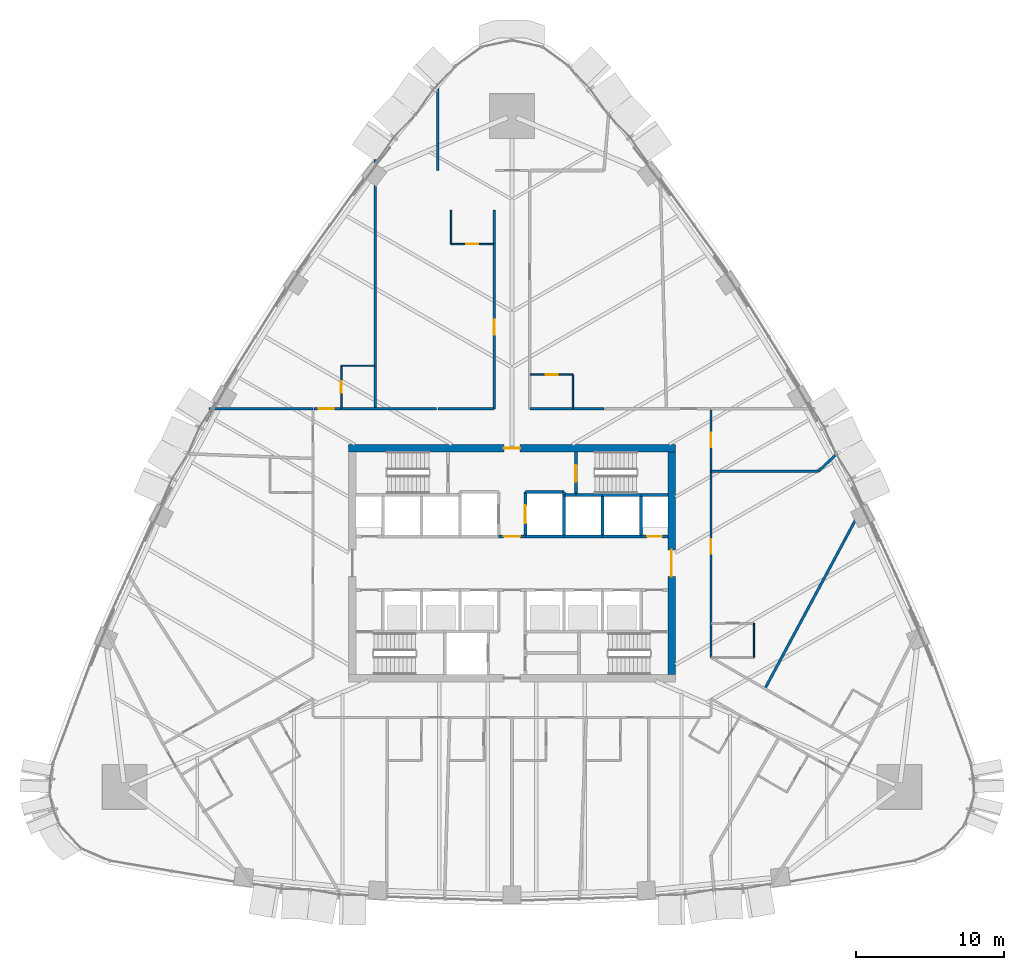
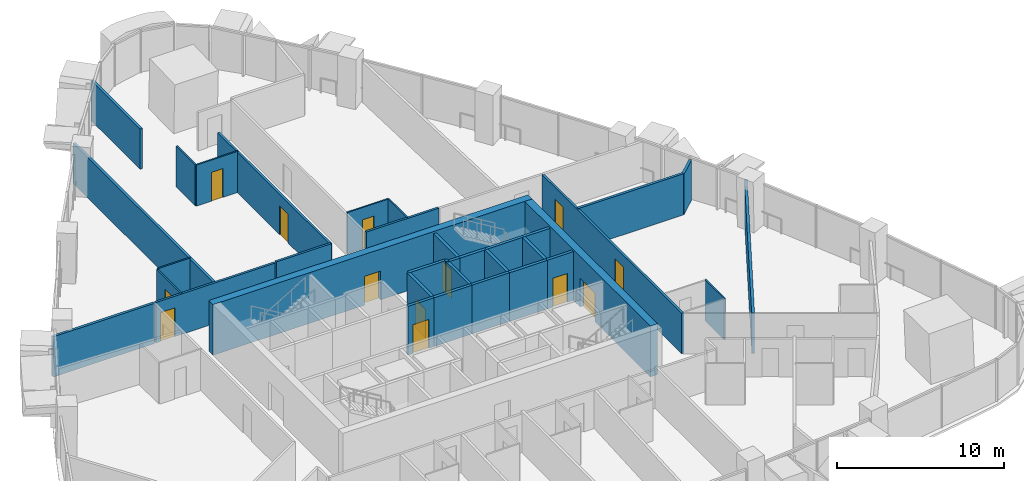
# One storey, part 13 of 18: 36 walls, 13 doors, 13 openings.
"""IFC4 building model written with IfcOpenShell, lengths in metres."""

from ifc_helpers import new_model, si_unit, direction, frame, frame_2d, origin, place, context, subcontext, project, spatial, rectangle, extrude, material, layer, layer_set, type_object, element, fill, save


model = new_model("IFC4")

# Units and contexts
model_context = context("Model", 3, precision=1e-05, world=origin(), true_north=direction((0.0, 1.0)))
body_context = subcontext(model_context, "Body", "Model", "MODEL_VIEW")
ifc_project = project(units=[si_unit("LENGTHUNIT", "METRE"), si_unit("AREAUNIT", "SQUARE_METRE"), si_unit("VOLUMEUNIT", "CUBIC_METRE"), si_unit("PLANEANGLEUNIT", "RADIAN"), si_unit("MASSUNIT", "GRAM", prefix="KILO")], contexts=[model_context])

# Site, building, storey
site_placement = place(None, origin())
site = spatial("IfcSite", under=ifc_project, at=site_placement, CompositionType="ELEMENT")
building_placement = place(site_placement, origin())
building = spatial("IfcBuilding", under=site, at=building_placement, Name="Sierra Prisma Convention Tower", CompositionType="ELEMENT")
storey_placement = place(building_placement, frame((0.0, 0.0, 85.0)))
storey = spatial("IfcBuildingStorey", under=building, at=storey_placement, Name="L17", CompositionType="ELEMENT", Elevation=85.0)

# Wall, opening, door
ifc_material_1 = material(Name="Gypsum board partition", Category="gypsum")
ifc_layer_1 = layer(ifc_material_1, 0.10009765625)
ifc_layer_set_1 = layer_set([ifc_layer_1], Name="Bathroom partition 100")
wall_type_1 = type_object("IfcWallType", Name="Bathroom partition 100", PredefinedType="PARTITIONING", material=ifc_layer_set_1)
wall_1_placement = place(storey_placement, frame((-11.5, 10.429931640625, 0.0), z_axis=(0.0, 0.0, 1.0), x_axis=(0.0, 1.0, 0.0)))
wall_1 = element("IfcWall", 1, at=wall_1_placement, inside=storey, type_object=wall_type_1, Name="Partition L17 bath 7", PredefinedType="PARTITIONING", context=body_context, shape_type="SweptSolid", body=[
    extrude(rectangle(XDim=2.8701171875, YDim=0.10009765625, at=frame_2d((1.43505859375, 0.0))), origin(), (0.0, 0.0, 1.0), 2.947021484375),
])
opening_1_placement = place(wall_1_placement, frame((1.034912109375, 0.0, 0.0)))
opening_1 = element("IfcOpeningElement", 2, at=opening_1_placement, cuts=wall_1, Name="Opening L17-D004", PredefinedType="OPENING", context=body_context, shape_type="SweptSolid", body=[
    extrude(rectangle(XDim=0.800048828125, YDim=2.10009765625, at=frame_2d((0.39990234375, 1.050048828125))), frame((0.0, 0.050048828125, 0.0), z_axis=(0.0, -1.0, 0.0), x_axis=(1.0, 0.0, 0.0)), (0.0, 0.0, 1.0), 0.10009765625),
])
ifc_material_2 = material(Name="Solid core timber door leaf", Category="wood")
door_type_1 = type_object("IfcDoorType", Name="Door 800x2100 plain", OperationType="SINGLE_SWING_LEFT", PredefinedType="DOOR", material=ifc_material_2)
door_1_placement = place(opening_1_placement, origin())
door_1 = element("IfcDoor", 3, at=door_1_placement, inside=storey, type_object=door_type_1, Name="Door L17 11", OperationType="SINGLE_SWING_RIGHT", OverallHeight=2.10009765625, OverallWidth=0.800048828125, PredefinedType="DOOR", context=body_context, shape_type="SweptSolid", body=[
    extrude(rectangle(XDim=0.800048828125, YDim=2.10009765625, at=frame_2d((0.39990234375, 1.050048828125))), frame((0.0, 0.02490234375, 0.0), z_axis=(0.0, -1.0, 0.0), x_axis=(1.0, 0.0, 0.0)), (0.0, 0.0, 1.0), 0.050048828125),
])
fill(opening_1, door_1)

# Wall
wall_2_placement = place(storey_placement, frame((-11.5, 13.300048828125, 0.0), z_axis=(0.0, 0.0, 1.0), x_axis=(1.0, 0.0, 0.0)))
element("IfcWall", 4, at=wall_2_placement, inside=storey, type_object=wall_type_1, Name="Partition L17 bath 8", PredefinedType="PARTITIONING", context=body_context, shape_type="SweptSolid", body=[
    extrude(rectangle(XDim=2.27001953125, YDim=0.10009765625, at=frame_2d((1.135009765625, 0.0))), origin(), (0.0, 0.0, 1.0), 3.0),
])

# Wall, opening, door
wall_3_placement = place(storey_placement, frame((-1.22998046875, 21.5, 0.0), z_axis=(0.0, 0.0, 1.0), x_axis=(-1.0, 0.0, 0.0)))
wall_3 = element("IfcWall", 5, at=wall_3_placement, inside=storey, type_object=wall_type_1, Name="Partition L17 bath 13", PredefinedType="PARTITIONING", context=body_context, shape_type="SweptSolid", body=[
    extrude(rectangle(XDim=2.8701171875, YDim=0.10009765625, at=frame_2d((1.43505859375, 0.0))), origin(), (0.0, 0.0, 1.0), 3.0),
])
opening_2_placement = place(wall_3_placement, frame((1.034912109375, 0.0, 0.0)))
opening_2 = element("IfcOpeningElement", 6, at=opening_2_placement, cuts=wall_3, Name="Opening L17-D003", PredefinedType="OPENING", context=body_context, shape_type="SweptSolid", body=[
    extrude(rectangle(XDim=0.800048828125, YDim=2.10009765625, at=frame_2d((0.39990234375, 1.050048828125))), frame((0.0, 0.050048828125, 0.0), z_axis=(0.0, -1.0, 0.0), x_axis=(1.0, 0.0, 0.0)), (0.0, 0.0, 1.0), 0.10009765625),
])
door_2_placement = place(opening_2_placement, origin())
door_2 = element("IfcDoor", 7, at=door_2_placement, inside=storey, type_object=door_type_1, Name="Door L17 9", OperationType="SINGLE_SWING_LEFT", OverallHeight=2.10009765625, OverallWidth=0.800048828125, PredefinedType="DOOR", context=body_context, shape_type="SweptSolid", body=[
    extrude(rectangle(XDim=0.800048828125, YDim=2.10009765625, at=frame_2d((0.39990234375, 1.050048828125))), frame((0.0, 0.02490234375, 0.0), z_axis=(0.0, -1.0, 0.0), x_axis=(1.0, 0.0, 0.0)), (0.0, 0.0, 1.0), 0.050048828125),
])
fill(opening_2, door_2)

# Wall
wall_4_placement = place(storey_placement, frame((-4.10009765625, 21.5, 0.0), z_axis=(0.0, 0.0, 1.0), x_axis=(0.0, 1.0, 0.0)))
element("IfcWall", 8, at=wall_4_placement, inside=storey, type_object=wall_type_1, Name="Partition L17 bath 14", PredefinedType="PARTITIONING", context=body_context, shape_type="SweptSolid", body=[
    extrude(rectangle(XDim=2.27001953125, YDim=0.10009765625, at=frame_2d((1.135009765625, 0.0))), origin(), (0.0, 0.0, 1.0), 3.0),
])

# Wall, opening, door
wall_5_placement = place(storey_placement, frame((1.22998046875, 12.699951171875, 0.0), z_axis=(0.0, 0.0, 1.0), x_axis=(1.0, 0.0, 0.0)))
wall_5 = element("IfcWall", 9, at=wall_5_placement, inside=storey, type_object=wall_type_1, Name="Partition L17 bath 17", PredefinedType="PARTITIONING", context=body_context, shape_type="SweptSolid", body=[
    extrude(rectangle(XDim=2.8701171875, YDim=0.10009765625, at=frame_2d((1.43505859375, 0.0))), origin(), (0.0, 0.0, 1.0), 3.0),
])
opening_3_placement = place(wall_5_placement, frame((1.034912109375, 0.0, 0.0)))
opening_3 = element("IfcOpeningElement", 10, at=opening_3_placement, cuts=wall_5, Name="Opening L17-D002", PredefinedType="OPENING", context=body_context, shape_type="SweptSolid", body=[
    extrude(rectangle(XDim=0.800048828125, YDim=2.10009765625, at=frame_2d((0.39990234375, 1.050048828125))), frame((0.0, 0.050048828125, 0.0), z_axis=(0.0, -1.0, 0.0), x_axis=(1.0, 0.0, 0.0)), (0.0, 0.0, 1.0), 0.10009765625),
])
door_3_placement = place(opening_3_placement, origin())
door_3 = element("IfcDoor", 11, at=door_3_placement, inside=storey, type_object=door_type_1, Name="Door L17 6", OperationType="SINGLE_SWING_LEFT", OverallHeight=2.10009765625, OverallWidth=0.800048828125, PredefinedType="DOOR", context=body_context, shape_type="SweptSolid", body=[
    extrude(rectangle(XDim=0.800048828125, YDim=2.10009765625, at=frame_2d((0.39990234375, 1.050048828125))), frame((0.0, 0.02490234375, 0.0), z_axis=(0.0, -1.0, 0.0), x_axis=(1.0, 0.0, 0.0)), (0.0, 0.0, 1.0), 0.050048828125),
])
fill(opening_3, door_3)

# Walls
wall_6_placement = place(storey_placement, frame((4.10009765625, 12.699951171875, 0.0), z_axis=(0.0, 0.0, 1.0), x_axis=(0.0, -1.0, 0.0)))
element("IfcWall", 12, at=wall_6_placement, inside=storey, type_object=wall_type_1, Name="Partition L17 bath 18", PredefinedType="PARTITIONING", context=body_context, shape_type="SweptSolid", body=[
    extrude(rectangle(XDim=2.27001953125, YDim=0.10009765625, at=frame_2d((1.135009765625, 0.0))), origin(), (0.0, 0.0, 1.0), 3.0),
])
wall_7_placement = place(storey_placement, frame((16.300048828125, -4.05078125, 0.0), z_axis=(0.0, 0.0, 1.0), x_axis=(0.0, -1.0, 0.0)))
element("IfcWall", 13, at=wall_7_placement, inside=storey, type_object=wall_type_1, Name="Partition L17 bath 25", PredefinedType="PARTITIONING", context=body_context, shape_type="SweptSolid", body=[
    extrude(rectangle(XDim=2.300048828125, YDim=0.10009765625, at=frame_2d((1.14990234375, 0.0))), origin(), (0.0, 0.0, 1.0), 3.0),
])

# Wall, opening, door
ifc_material_3 = material(Name="Concrete C30/37", Category="concrete")
ifc_layer_2 = layer(ifc_material_3, 0.199951171875)
ifc_layer_set_2 = layer_set([ifc_layer_2], Name="Core wall RC 200 C30/37")
wall_type_2 = type_object("IfcWallType", Name="Core wall RC 200 C30/37", PredefinedType="SOLIDWALL", material=ifc_layer_set_2)
wall_8_placement = place(storey_placement, frame((0.89990234375, 1.800048828125, 0.0), z_axis=(0.0, 0.0, 1.0), x_axis=(-1.0, 0.0, 0.0)))
wall_8 = element("IfcWall", 14, at=wall_8_placement, inside=storey, type_object=wall_type_2, Name="Core wall L17 33", PredefinedType="SOLIDWALL", context=body_context, shape_type="SweptSolid", body=[
    extrude(rectangle(XDim=1.7998046875, YDim=0.199951171875, at=frame_2d((0.89990234375, 0.0))), origin(), (0.0, 0.0, 1.0), 3.550048828125),
])
opening_4_placement = place(wall_8_placement, frame((0.35009765625, 0.0, 0.0)))
opening_4 = element("IfcOpeningElement", 15, at=opening_4_placement, cuts=wall_8, Name="Opening L17-D026", PredefinedType="OPENING", context=body_context, shape_type="SweptSolid", body=[
    extrude(rectangle(XDim=1.10009765625, YDim=2.10009765625, at=frame_2d((0.550048828125, 1.050048828125))), frame((0.0, 0.10009765625, 0.0), z_axis=(0.0, -1.0, 0.0), x_axis=(1.0, 0.0, 0.0)), (0.0, 0.0, 1.0), 0.199951171875),
])
ifc_material_4 = material(Name="Steel fire door leaf", Category="steel")
door_type_2 = type_object("IfcDoorType", Name="Door 1100x2100 FD60S", OperationType="SINGLE_SWING_LEFT", PredefinedType="DOOR", material=ifc_material_4)
door_4_placement = place(opening_4_placement, origin())
door_4 = element("IfcDoor", 16, at=door_4_placement, inside=storey, type_object=door_type_2, Name="Door L17 47", OperationType="SINGLE_SWING_LEFT", OverallHeight=2.10009765625, OverallWidth=1.10009765625, PredefinedType="DOOR", context=body_context, shape_type="SweptSolid", body=[
    extrude(rectangle(XDim=1.10009765625, YDim=2.10009765625, at=frame_2d((0.550048828125, 1.050048828125))), frame((0.0, 0.02490234375, 0.0), z_axis=(0.0, -1.0, 0.0), x_axis=(1.0, 0.0, 0.0)), (0.0, 0.0, 1.0), 0.050048828125),
])
fill(opening_4, door_4)

# Walls
wall_9_placement = place(storey_placement, frame((3.5, 1.800048828125, 0.0), z_axis=(0.0, 0.0, 1.0), x_axis=(-1.0, 0.0, 0.0)))
element("IfcWall", 17, at=wall_9_placement, inside=storey, type_object=wall_type_2, Name="Core wall L17 40", PredefinedType="SOLIDWALL", context=body_context, shape_type="SweptSolid", body=[
    extrude(rectangle(XDim=2.60009765625, YDim=0.199951171875, at=frame_2d((1.300048828125, 0.0))), origin(), (0.0, 0.0, 1.0), 3.550048828125),
])
wall_10_placement = place(storey_placement, frame((3.5, 4.60009765625, 0.0), z_axis=(0.0, 0.0, 1.0), x_axis=(0.0, 1.0, 0.0)))
element("IfcWall", 18, at=wall_10_placement, inside=storey, type_object=wall_type_2, Name="Core wall L17 41", PredefinedType="SOLIDWALL", context=body_context, shape_type="SweptSolid", body=[
    extrude(rectangle(XDim=0.199951171875, YDim=0.199951171875, at=frame_2d((0.10009765625, 0.0))), origin(), (0.0, 0.0, 1.0), 3.550048828125),
])
wall_11_placement = place(storey_placement, frame((3.5, 4.800048828125, 0.0), z_axis=(0.0, 0.0, 1.0), x_axis=(-1.0, 0.0, 0.0)))
element("IfcWall", 19, at=wall_11_placement, inside=storey, type_object=wall_type_2, Name="Core wall L17 42", PredefinedType="SOLIDWALL", context=body_context, shape_type="SweptSolid", body=[
    extrude(rectangle(XDim=2.60009765625, YDim=0.199951171875, at=frame_2d((1.300048828125, 0.0))), origin(), (0.0, 0.0, 1.0), 3.550048828125),
])

# Wall, opening, door
wall_12_placement = place(storey_placement, frame((0.89990234375, 4.800048828125, 0.0), z_axis=(0.0, 0.0, 1.0), x_axis=(0.0, -1.0, 0.0)))
wall_12 = element("IfcWall", 20, at=wall_12_placement, inside=storey, type_object=wall_type_2, Name="Core wall L17 43", PredefinedType="SOLIDWALL", context=body_context, shape_type="SweptSolid", body=[
    extrude(rectangle(XDim=3.0, YDim=0.199951171875, at=frame_2d((1.5, 0.0))), origin(), (0.0, 0.0, 1.0), 3.550048828125),
])
opening_5_placement = place(wall_12_placement, frame((0.89990234375, 0.0, 0.0)))
opening_5 = element("IfcOpeningElement", 21, at=opening_5_placement, cuts=wall_12, Name="Opening L17-D022", PredefinedType="OPENING", context=body_context, shape_type="SweptSolid", body=[
    extrude(rectangle(XDim=1.199951171875, YDim=2.10009765625, at=frame_2d((0.60009765625, 1.050048828125))), frame((0.0, 0.10009765625, 0.0), z_axis=(0.0, -1.0, 0.0), x_axis=(1.0, 0.0, 0.0)), (0.0, 0.0, 1.0), 0.199951171875),
])
ifc_material_5 = material(Name="Steel fire door leaf", Category="steel")
door_type_3 = type_object("IfcDoorType", Name="Door 1200x2100 EI 90 sliding lift landing", OperationType="SLIDING_TO_LEFT", PredefinedType="DOOR", material=ifc_material_5)
door_5_placement = place(opening_5_placement, origin())
door_5 = element("IfcDoor", 22, at=door_5_placement, inside=storey, type_object=door_type_3, Name="Door L17 43", OperationType="SLIDING_TO_LEFT", OverallHeight=2.10009765625, OverallWidth=1.199951171875, PredefinedType="DOOR", context=body_context, shape_type="SweptSolid", body=[
    extrude(rectangle(XDim=1.199951171875, YDim=2.10009765625, at=frame_2d((0.60009765625, 1.050048828125))), frame((0.0, 0.02490234375, 0.0), z_axis=(0.0, -1.0, 0.0), x_axis=(1.0, 0.0, 0.0)), (0.0, 0.0, 1.0), 0.050048828125),
])
fill(opening_5, door_5)

# Walls
wall_13_placement = place(storey_placement, frame((6.10009765625, 1.800048828125, 0.0), z_axis=(0.0, 0.0, 1.0), x_axis=(-1.0, 0.0, 0.0)))
element("IfcWall", 23, at=wall_13_placement, inside=storey, type_object=wall_type_2, Name="Core wall L17 47", PredefinedType="SOLIDWALL", context=body_context, shape_type="SweptSolid", body=[
    extrude(rectangle(XDim=2.60009765625, YDim=0.199951171875, at=frame_2d((1.300048828125, 0.0))), origin(), (0.0, 0.0, 1.0), 3.550048828125),
])
wall_14_placement = place(storey_placement, frame((3.5, 1.800048828125, 0.0), z_axis=(0.0, 0.0, 1.0), x_axis=(0.0, 1.0, 0.0)))
element("IfcWall", 24, at=wall_14_placement, inside=storey, type_object=wall_type_2, Name="Core wall L17 48", PredefinedType="SOLIDWALL", context=body_context, shape_type="SweptSolid", body=[
    extrude(rectangle(XDim=2.800048828125, YDim=0.199951171875, at=frame_2d((1.39990234375, 0.0))), origin(), (0.0, 0.0, 1.0), 3.550048828125),
])
wall_15_placement = place(storey_placement, frame((4.300048828125, 4.60009765625, 0.0), z_axis=(0.0, 0.0, 1.0), x_axis=(-1.0, 0.0, 0.0)))
element("IfcWall", 25, at=wall_15_placement, inside=storey, type_object=wall_type_2, Name="Core wall L17 49", PredefinedType="SOLIDWALL", context=body_context, shape_type="SweptSolid", body=[
    extrude(rectangle(XDim=0.800048828125, YDim=0.199951171875, at=frame_2d((0.39990234375, 0.0))), origin(), (0.0, 0.0, 1.0), 3.550048828125),
])
wall_16_placement = place(storey_placement, frame((6.10009765625, 4.60009765625, 0.0), z_axis=(0.0, 0.0, 1.0), x_axis=(-1.0, 0.0, 0.0)))
element("IfcWall", 26, at=wall_16_placement, inside=storey, type_object=wall_type_2, Name="Core wall L17 50", PredefinedType="SOLIDWALL", context=body_context, shape_type="SweptSolid", body=[
    extrude(rectangle(XDim=1.800048828125, YDim=0.199951171875, at=frame_2d((0.89990234375, 0.0))), origin(), (0.0, 0.0, 1.0), 3.550048828125),
])

# Wall, opening, door
wall_17_placement = place(storey_placement, frame((4.300048828125, 7.5, 0.0), z_axis=(0.0, 0.0, 1.0), x_axis=(0.0, -1.0, 0.0)))
wall_17 = element("IfcWall", 27, at=wall_17_placement, inside=storey, type_object=wall_type_2, Name="Core wall L17 51", PredefinedType="SOLIDWALL", context=body_context, shape_type="SweptSolid", body=[
    extrude(rectangle(XDim=2.89990234375, YDim=0.199951171875, at=frame_2d((1.449951171875, 0.0))), origin(), (0.0, 0.0, 1.0), 3.550048828125),
])
opening_6_placement = place(wall_17_placement, frame((0.89990234375, 0.0, 0.0)))
opening_6 = element("IfcOpeningElement", 28, at=opening_6_placement, cuts=wall_17, Name="Opening L17-D033", PredefinedType="OPENING", context=body_context, shape_type="SweptSolid", body=[
    extrude(rectangle(XDim=1.10009765625, YDim=2.10009765625, at=frame_2d((0.550048828125, 1.050048828125))), frame((0.0, 0.10009765625, 0.0), z_axis=(0.0, -1.0, 0.0), x_axis=(1.0, 0.0, 0.0)), (0.0, 0.0, 1.0), 0.199951171875),
])
ifc_material_6 = material(Name="Steel fire door leaf", Category="steel")
door_type_4 = type_object("IfcDoorType", Name="Door 1100x2100 FD90S", OperationType="SINGLE_SWING_LEFT", PredefinedType="DOOR", material=ifc_material_6)
door_6_placement = place(opening_6_placement, origin())
door_6 = element("IfcDoor", 29, at=door_6_placement, inside=storey, type_object=door_type_4, Name="Door L17 54", OperationType="SINGLE_SWING_LEFT", OverallHeight=2.10009765625, OverallWidth=1.10009765625, PredefinedType="DOOR", context=body_context, shape_type="SweptSolid", body=[
    extrude(rectangle(XDim=1.10009765625, YDim=2.10009765625, at=frame_2d((0.550048828125, 1.050048828125))), frame((0.0, 0.02490234375, 0.0), z_axis=(0.0, -1.0, 0.0), x_axis=(1.0, 0.0, 0.0)), (0.0, 0.0, 1.0), 0.050048828125),
])
fill(opening_6, door_6)

# Walls
wall_18_placement = place(storey_placement, frame((8.699951171875, 1.800048828125, 0.0), z_axis=(0.0, 0.0, 1.0), x_axis=(-1.0, 0.0, 0.0)))
element("IfcWall", 30, at=wall_18_placement, inside=storey, type_object=wall_type_2, Name="Core wall L17 58", PredefinedType="SOLIDWALL", context=body_context, shape_type="SweptSolid", body=[
    extrude(rectangle(XDim=2.599853515625, YDim=0.199951171875, at=frame_2d((1.2998046875, 0.0))), origin(), (0.0, 0.0, 1.0), 3.550048828125),
])
wall_19_placement = place(storey_placement, frame((6.10009765625, 1.800048828125, 0.0), z_axis=(0.0, 0.0, 1.0), x_axis=(0.0, 1.0, 0.0)))
element("IfcWall", 31, at=wall_19_placement, inside=storey, type_object=wall_type_2, Name="Core wall L17 59", PredefinedType="SOLIDWALL", context=body_context, shape_type="SweptSolid", body=[
    extrude(rectangle(XDim=2.800048828125, YDim=0.199951171875, at=frame_2d((1.39990234375, 0.0))), origin(), (0.0, 0.0, 1.0), 3.550048828125),
])
wall_20_placement = place(storey_placement, frame((8.699951171875, 4.60009765625, 0.0), z_axis=(0.0, 0.0, 1.0), x_axis=(-1.0, 0.0, 0.0)))
element("IfcWall", 32, at=wall_20_placement, inside=storey, type_object=wall_type_2, Name="Core wall L17 60", PredefinedType="SOLIDWALL", context=body_context, shape_type="SweptSolid", body=[
    extrude(rectangle(XDim=2.599853515625, YDim=0.199951171875, at=frame_2d((1.2998046875, 0.0))), origin(), (0.0, 0.0, 1.0), 3.550048828125),
])

# Wall, opening, door
wall_21_placement = place(storey_placement, frame((10.5, 1.800048828125, 0.0), z_axis=(0.0, 0.0, 1.0), x_axis=(-1.0, 0.0, 0.0)))
wall_21 = element("IfcWall", 33, at=wall_21_placement, inside=storey, type_object=wall_type_2, Name="Core wall L17 64", PredefinedType="SOLIDWALL", context=body_context, shape_type="SweptSolid", body=[
    extrude(rectangle(XDim=1.800048828125, YDim=0.199951171875, at=frame_2d((0.89990234375, 0.0))), origin(), (0.0, 0.0, 1.0), 3.550048828125),
])
opening_7_placement = place(wall_21_placement, frame((0.39990234375, 0.0, 0.0)))
opening_7 = element("IfcOpeningElement", 34, at=opening_7_placement, cuts=wall_21, Name="Opening L17-D029", PredefinedType="OPENING", context=body_context, shape_type="SweptSolid", body=[
    extrude(rectangle(XDim=1.0, YDim=2.10009765625, at=frame_2d((0.5, 1.050048828125))), frame((0.0, 0.10009765625, 0.0), z_axis=(0.0, -1.0, 0.0), x_axis=(1.0, 0.0, 0.0)), (0.0, 0.0, 1.0), 0.199951171875),
])
ifc_material_7 = material(Name="Steel fire door leaf", Category="steel")
door_type_5 = type_object("IfcDoorType", Name="Door 1000x2100 FD60S", OperationType="SINGLE_SWING_LEFT", PredefinedType="DOOR", material=ifc_material_7)
door_7_placement = place(opening_7_placement, origin())
door_7 = element("IfcDoor", 35, at=door_7_placement, inside=storey, type_object=door_type_5, Name="Door L17 50", OperationType="SINGLE_SWING_LEFT", OverallHeight=2.10009765625, OverallWidth=1.0, PredefinedType="DOOR", context=body_context, shape_type="SweptSolid", body=[
    extrude(rectangle(XDim=1.0, YDim=2.10009765625, at=frame_2d((0.5, 1.050048828125))), frame((0.0, 0.02490234375, 0.0), z_axis=(0.0, -1.0, 0.0), x_axis=(1.0, 0.0, 0.0)), (0.0, 0.0, 1.0), 0.050048828125),
])
fill(opening_7, door_7)

# Walls
wall_22_placement = place(storey_placement, frame((8.699951171875, 4.60009765625, 0.0), z_axis=(0.0, 0.0, 1.0), x_axis=(0.0, -1.0, 0.0)))
element("IfcWall", 36, at=wall_22_placement, inside=storey, type_object=wall_type_2, Name="Core wall L17 65", PredefinedType="SOLIDWALL", context=body_context, shape_type="SweptSolid", body=[
    extrude(rectangle(XDim=2.800048828125, YDim=0.199951171875, at=frame_2d((1.39990234375, 0.0))), origin(), (0.0, 0.0, 1.0), 3.550048828125),
])
wall_23_placement = place(storey_placement, frame((10.5, 4.60009765625, 0.0), z_axis=(0.0, 0.0, 1.0), x_axis=(-1.0, 0.0, 0.0)))
element("IfcWall", 37, at=wall_23_placement, inside=storey, type_object=wall_type_2, Name="Core wall L17 66", PredefinedType="SOLIDWALL", context=body_context, shape_type="SweptSolid", body=[
    extrude(rectangle(XDim=1.800048828125, YDim=0.199951171875, at=frame_2d((0.89990234375, 0.0))), origin(), (0.0, 0.0, 1.0), 3.550048828125),
])

# Wall, opening, door
ifc_material_8 = material(Name="Concrete C60/75", Category="concrete")
ifc_layer_3 = layer(ifc_material_8, 0.5)
ifc_layer_set_3 = layer_set([ifc_layer_3], Name="Core wall RC 500 C60/75")
wall_type_3 = type_object("IfcWallType", Name="Core wall RC 500 C60/75", PredefinedType="SHEAR", material=ifc_layer_set_3)
wall_24_placement = place(storey_placement, frame((-11.0, 7.75, 0.0), z_axis=(0.0, 0.0, 1.0), x_axis=(1.0, 0.0, 0.0)))
wall_24 = element("IfcWall", 38, at=wall_24_placement, inside=storey, type_object=wall_type_3, Name="Core wall N L17", PredefinedType="SHEAR", context=body_context, shape_type="SweptSolid", body=[
    extrude(rectangle(XDim=22.0, YDim=0.5, at=frame_2d((11.0, 0.0))), origin(), (0.0, 0.0, 1.0), 3.699951171875),
])
opening_8_placement = place(wall_24_placement, frame((10.449951171875, 0.0, 0.0)))
opening_8 = element("IfcOpeningElement", 39, at=opening_8_placement, cuts=wall_24, Name="Opening L17-D058", PredefinedType="OPENING", context=body_context, shape_type="SweptSolid", body=[
    extrude(rectangle(XDim=1.10009765625, YDim=2.10009765625, at=frame_2d((0.550048828125, 1.050048828125))), frame((0.0, 0.25, 0.0), z_axis=(0.0, -1.0, 0.0), x_axis=(1.0, 0.0, 0.0)), (0.0, 0.0, 1.0), 0.5),
])
door_8_placement = place(opening_8_placement, origin())
door_8 = element("IfcDoor", 40, at=door_8_placement, inside=storey, type_object=door_type_2, Name="Door L17 59", OperationType="SINGLE_SWING_LEFT", OverallHeight=2.10009765625, OverallWidth=1.10009765625, PredefinedType="DOOR", context=body_context, shape_type="SweptSolid", body=[
    extrude(rectangle(XDim=1.10009765625, YDim=2.10009765625, at=frame_2d((0.550048828125, 1.050048828125))), frame((0.0, 0.02490234375, 0.0), z_axis=(0.0, -1.0, 0.0), x_axis=(1.0, 0.0, 0.0)), (0.0, 0.0, 1.0), 0.050048828125),
])
fill(opening_8, door_8)

wall_25_placement = place(storey_placement, frame((10.75, -7.5, 0.0), z_axis=(0.0, 0.0, 1.0), x_axis=(0.0, 1.0, 0.0)))
wall_25 = element("IfcWall", 41, at=wall_25_placement, inside=storey, type_object=wall_type_3, Name="Core wall E L17", PredefinedType="SHEAR", context=body_context, shape_type="SweptSolid", body=[
    extrude(rectangle(XDim=15.0, YDim=0.5, at=frame_2d((7.5, 0.0))), origin(), (0.0, 0.0, 1.0), 3.699951171875),
])
opening_9_placement = place(wall_25_placement, frame((6.60009765625, 0.0, 0.0)))
opening_9 = element("IfcOpeningElement", 42, at=opening_9_placement, cuts=wall_25, Name="Opening L17-D057", PredefinedType="OPENING", context=body_context, shape_type="SweptSolid", body=[
    extrude(rectangle(XDim=1.800048828125, YDim=2.10009765625, at=frame_2d((0.89990234375, 1.050048828125))), frame((0.0, 0.25, 0.0), z_axis=(0.0, -1.0, 0.0), x_axis=(1.0, 0.0, 0.0)), (0.0, 0.0, 1.0), 0.5),
])
ifc_material_9 = material(Name="Steel fire door leaf", Category="steel")
door_type_6 = type_object("IfcDoorType", Name="Door 1800x2100 FD60S", OperationType="DOUBLE_DOOR_SINGLE_SWING", PredefinedType="DOOR", material=ifc_material_9)
door_9_placement = place(opening_9_placement, origin())
door_9 = element("IfcDoor", 43, at=door_9_placement, inside=storey, type_object=door_type_6, Name="Door L17 58", OperationType="DOUBLE_DOOR_SINGLE_SWING", OverallHeight=2.10009765625, OverallWidth=1.800048828125, PredefinedType="DOOR", context=body_context, shape_type="SweptSolid", body=[
    extrude(rectangle(XDim=1.800048828125, YDim=2.10009765625, at=frame_2d((0.89990234375, 1.050048828125))), frame((0.0, 0.02490234375, 0.0), z_axis=(0.0, -1.0, 0.0), x_axis=(1.0, 0.0, 0.0)), (0.0, 0.0, 1.0), 0.050048828125),
])
fill(opening_9, door_9)

ifc_material_10 = material(Name="Gypsum board partition", Category="gypsum")
ifc_layer_4 = layer(ifc_material_10, 0.14990234375)
ifc_layer_set_4 = layer_set([ifc_layer_4], Name="Corridor wall 150 gypsum EI 60")
wall_type_4 = type_object("IfcWallType", Name="Corridor wall 150 gypsum EI 60", PredefinedType="PARTITIONING", material=ifc_layer_set_4)
wall_26_placement = place(storey_placement, frame((-5.080078125, 10.39990234375, 0.0), z_axis=(0.0, 0.0, 1.0), x_axis=(-1.0, 0.0, 0.0)))
wall_26 = element("IfcWall", 44, at=wall_26_placement, inside=storey, type_object=wall_type_4, Name="Partition L17 corr 7", PredefinedType="PARTITIONING", context=body_context, shape_type="SweptSolid", body=[
    extrude(rectangle(XDim=8.239990234375, YDim=0.14990234375, at=frame_2d((4.1201171875, 0.0))), origin(), (0.0, 0.0, 1.0), 2.947021484375),
])
opening_10_placement = place(wall_26_placement, frame((6.929931640625, 0.0, 0.0)))
opening_10 = element("IfcOpeningElement", 45, at=opening_10_placement, cuts=wall_26, Name="Opening L17-D042", PredefinedType="OPENING", context=body_context, shape_type="SweptSolid", body=[
    extrude(rectangle(XDim=1.0, YDim=2.10009765625, at=frame_2d((0.5, 1.050048828125))), frame((0.0, 0.074951171875, 0.0), z_axis=(0.0, -1.0, 0.0), x_axis=(1.0, 0.0, 0.0)), (0.0, 0.0, 1.0), 0.14990234375),
])
ifc_material_11 = material(Name="Steel fire door leaf", Category="steel")
door_type_7 = type_object("IfcDoorType", Name="Door 1000x2100 FD30S", OperationType="SINGLE_SWING_LEFT", PredefinedType="DOOR", material=ifc_material_11)
door_10_placement = place(opening_10_placement, origin())
door_10 = element("IfcDoor", 46, at=door_10_placement, inside=storey, type_object=door_type_7, Name="Door L17 10", OperationType="SINGLE_SWING_RIGHT", OverallHeight=2.10009765625, OverallWidth=1.0, PredefinedType="DOOR", context=body_context, shape_type="SweptSolid", body=[
    extrude(rectangle(XDim=1.0, YDim=2.10009765625, at=frame_2d((0.5, 1.050048828125))), frame((0.0, 0.02490234375, 0.0), z_axis=(0.0, -1.0, 0.0), x_axis=(1.0, 0.0, 0.0)), (0.0, 0.0, 1.0), 0.050048828125),
])
fill(opening_10, door_10)

wall_27_placement = place(storey_placement, frame((-1.199951171875, 23.800048828125, 0.0), z_axis=(0.0, 0.0, 1.0), x_axis=(0.0, -1.0, 0.0)))
wall_27 = element("IfcWall", 47, at=wall_27_placement, inside=storey, type_object=wall_type_4, Name="Partition L17 corr 8", PredefinedType="PARTITIONING", context=body_context, shape_type="SweptSolid", body=[
    extrude(rectangle(XDim=13.400146484375, YDim=0.14990234375, at=frame_2d((6.7001953125, 0.0))), origin(), (0.0, 0.0, 1.0), 2.947021484375),
])
opening_11_placement = place(wall_27_placement, frame((7.39990234375, 0.0, 0.0)))
opening_11 = element("IfcOpeningElement", 48, at=opening_11_placement, cuts=wall_27, Name="Opening L17-D041", PredefinedType="OPENING", context=body_context, shape_type="SweptSolid", body=[
    extrude(rectangle(XDim=1.0, YDim=2.10009765625, at=frame_2d((0.5, 1.050048828125))), frame((0.0, 0.074951171875, 0.0), z_axis=(0.0, -1.0, 0.0), x_axis=(1.0, 0.0, 0.0)), (0.0, 0.0, 1.0), 0.14990234375),
])
door_11_placement = place(opening_11_placement, origin())
door_11 = element("IfcDoor", 49, at=door_11_placement, inside=storey, type_object=door_type_7, Name="Door L17 8", OperationType="SINGLE_SWING_RIGHT", OverallHeight=2.10009765625, OverallWidth=1.0, PredefinedType="DOOR", context=body_context, shape_type="SweptSolid", body=[
    extrude(rectangle(XDim=1.0, YDim=2.10009765625, at=frame_2d((0.5, 1.050048828125))), frame((0.0, 0.02490234375, 0.0), z_axis=(0.0, -1.0, 0.0), x_axis=(1.0, 0.0, 0.0)), (0.0, 0.0, 1.0), 0.050048828125),
])
fill(opening_11, door_11)

# Walls
wall_28_placement = place(storey_placement, frame((-1.199951171875, 10.39990234375, 0.0), z_axis=(0.0, 0.0, 1.0), x_axis=(-1.0, 0.0, 0.0)))
element("IfcWall", 50, at=wall_28_placement, inside=storey, type_object=wall_type_4, Name="Partition L17 corr 9", PredefinedType="PARTITIONING", context=body_context, shape_type="SweptSolid", body=[
    extrude(rectangle(XDim=3.800048828125, YDim=0.14990234375, at=frame_2d((1.89990234375, 0.0))), origin(), (0.0, 0.0, 1.0), 3.0),
])
wall_29_placement = place(storey_placement, frame((6.199951171875, 10.39990234375, 0.0), z_axis=(0.0, 0.0, 1.0), x_axis=(-1.0, 0.0, 0.0)))
element("IfcWall", 51, at=wall_29_placement, inside=storey, type_object=wall_type_4, Name="Partition L17 corr 11", PredefinedType="PARTITIONING", context=body_context, shape_type="SweptSolid", body=[
    extrude(rectangle(XDim=5.0, YDim=0.14990234375, at=frame_2d((2.5, 0.0))), origin(), (0.0, 0.0, 1.0), 3.0),
])

# Wall, openings, doors
wall_30_placement = place(storey_placement, frame((13.39990234375, -6.350830078125, 0.0), z_axis=(0.0, 0.0, 1.0), x_axis=(0.0, 1.0, 0.0)))
wall_30 = element("IfcWall", 52, at=wall_30_placement, inside=storey, type_object=wall_type_4, Name="Partition L17 corr 17", PredefinedType="PARTITIONING", context=body_context, shape_type="SweptSolid", body=[
    extrude(rectangle(XDim=16.6708984375, YDim=0.14990234375, at=frame_2d((8.33544921875, 0.0))), origin(), (0.0, 0.0, 1.0), 2.947021484375),
])
opening_12_placement = place(wall_30_placement, frame((6.9755859375, 0.0, 0.0)))
opening_12 = element("IfcOpeningElement", 53, at=opening_12_placement, cuts=wall_30, Name="Opening L17-D036", PredefinedType="OPENING", context=body_context, shape_type="SweptSolid", body=[
    extrude(rectangle(XDim=1.0, YDim=2.10009765625, at=frame_2d((0.5, 1.050048828125))), frame((0.0, 0.074951171875, 0.0), z_axis=(0.0, -1.0, 0.0), x_axis=(1.0, 0.0, 0.0)), (0.0, 0.0, 1.0), 0.14990234375),
])
opening_13_placement = place(wall_30_placement, frame((14.15087890625, 0.0, 0.0)))
opening_13 = element("IfcOpeningElement", 54, at=opening_13_placement, cuts=wall_30, Name="Opening L17-D037", PredefinedType="OPENING", context=body_context, shape_type="SweptSolid", body=[
    extrude(rectangle(XDim=1.0, YDim=2.10009765625, at=frame_2d((0.5, 1.050048828125))), frame((0.0, 0.074951171875, 0.0), z_axis=(0.0, -1.0, 0.0), x_axis=(1.0, 0.0, 0.0)), (0.0, 0.0, 1.0), 0.14990234375),
])
door_12_placement = place(opening_12_placement, origin())
door_12 = element("IfcDoor", 55, at=door_12_placement, inside=storey, type_object=door_type_7, Name="Door L17 1", OperationType="SINGLE_SWING_LEFT", OverallHeight=2.10009765625, OverallWidth=1.0, PredefinedType="DOOR", context=body_context, shape_type="SweptSolid", body=[
    extrude(rectangle(XDim=1.0, YDim=2.10009765625, at=frame_2d((0.5, 1.050048828125))), frame((0.0, 0.02490234375, 0.0), z_axis=(0.0, -1.0, 0.0), x_axis=(1.0, 0.0, 0.0)), (0.0, 0.0, 1.0), 0.050048828125),
])
fill(opening_12, door_12)
door_13_placement = place(opening_13_placement, origin())
door_13 = element("IfcDoor", 56, at=door_13_placement, inside=storey, type_object=door_type_7, Name="Door L17 3", OperationType="SINGLE_SWING_LEFT", OverallHeight=2.10009765625, OverallWidth=1.0, PredefinedType="DOOR", context=body_context, shape_type="SweptSolid", body=[
    extrude(rectangle(XDim=1.0, YDim=2.10009765625, at=frame_2d((0.5, 1.050048828125))), frame((0.0, 0.02490234375, 0.0), z_axis=(0.0, -1.0, 0.0), x_axis=(1.0, 0.0, 0.0)), (0.0, 0.0, 1.0), 0.050048828125),
])
fill(opening_13, door_13)

# Walls
ifc_material_12 = material(Name="Acoustic gypsum board partition", Category="gypsum")
ifc_layer_5 = layer(ifc_material_12, 0.175048828125)
ifc_layer_set_5 = layer_set([ifc_layer_5], Name="Guest room party wall 175 acoustic EI 60")
wall_type_5 = type_object("IfcWallType", Name="Guest room party wall 175 acoustic EI 60", PredefinedType="PARTITIONING", material=ifc_layer_set_5)
wall_31_placement = place(storey_placement, frame((-13.39990234375, 10.39990234375, 0.0), z_axis=(0.0, 0.0, 1.0), x_axis=(-1.0, 0.0, 0.0)))
element("IfcWall", 57, at=wall_31_placement, inside=storey, type_object=wall_type_5, Name="Partition L17 hparty 6", PredefinedType="PARTITIONING", context=body_context, shape_type="SweptSolid", body=[
    extrude(rectangle(XDim=7.002197265625, YDim=0.175048828125, at=frame_2d((3.5009765625, 0.0))), origin(), (0.0, 0.0, 1.0), 2.93408203125),
])
wall_32_placement = place(storey_placement, frame((-9.199951171875, 10.39990234375, 0.0), z_axis=(0.0, 0.0, 1.0), x_axis=(0.0, 1.0, 0.0)))
element("IfcWall", 58, at=wall_32_placement, inside=storey, type_object=wall_type_5, Name="Partition L17 hparty 8", PredefinedType="PARTITIONING", context=body_context, shape_type="SweptSolid", body=[
    extrude(rectangle(XDim=16.7861328125, YDim=0.175048828125, at=frame_2d((8.39306640625, 0.0))), origin(), (0.0, 0.0, 1.0), 2.947021484375),
])
wall_33_placement = place(storey_placement, frame((-5.0, 32.3154296875, 0.0), z_axis=(0.0, 0.0, 1.0), x_axis=(0.0, -1.0, 0.0)))
element("IfcWall", 59, at=wall_33_placement, inside=storey, type_object=wall_type_5, Name="Partition L17 hparty 10", PredefinedType="PARTITIONING", context=body_context, shape_type="SweptSolid", body=[
    extrude(rectangle(XDim=5.865234375, YDim=0.175048828125, at=frame_2d((2.9326171875, 0.0))), origin(), (0.0, 0.0, 1.0), 2.93408203125),
])
wall_34_placement = place(storey_placement, frame((13.39990234375, 6.199951171875, 0.0), z_axis=(0.0, 0.0, 1.0), x_axis=(1.0, 0.0, 0.0)))
element("IfcWall", 60, at=wall_34_placement, inside=storey, type_object=wall_type_5, Name="Partition L17 hparty 20", PredefinedType="PARTITIONING", context=body_context, shape_type="SweptSolid", body=[
    extrude(rectangle(XDim=7.246337890625, YDim=0.175048828125, at=frame_2d((3.623046875, 0.0))), origin(), (0.0, 0.0, 1.0), 3.0),
])
wall_35_placement = place(storey_placement, frame((20.646240234375, 6.199951171875, 0.0), z_axis=(0.0, 0.0, 1.0), x_axis=(0.726397193688, 0.687275139229, 0.0)))
element("IfcWall", 61, at=wall_35_placement, inside=storey, type_object=wall_type_5, Name="Partition L17 hparty 21", PredefinedType="PARTITIONING", context=body_context, shape_type="SweptSolid", body=[
    extrude(rectangle(XDim=1.572509765625, YDim=0.175048828125, at=frame_2d((0.7861328125, 0.0))), origin(), (0.0, 0.0, 1.0), 2.93408203125),
])
wall_36_placement = place(storey_placement, frame((23.628662109375, 3.834716796875, 0.0), z_axis=(0.0, 0.0, 1.0), x_axis=(-0.472762655376, -0.881189804572, 0.0)))
element("IfcWall", 62, at=wall_36_placement, inside=storey, type_object=wall_type_5, Name="Partition L17 hparty 23", PredefinedType="PARTITIONING", context=body_context, shape_type="SweptSolid", body=[
    extrude(rectangle(XDim=13.942138671875, YDim=0.175048828125, at=frame_2d((6.97119140625, 0.0))), origin(), (0.0, 0.0, 1.0), 2.947021484375),
])

save(model, "model.ifc")
